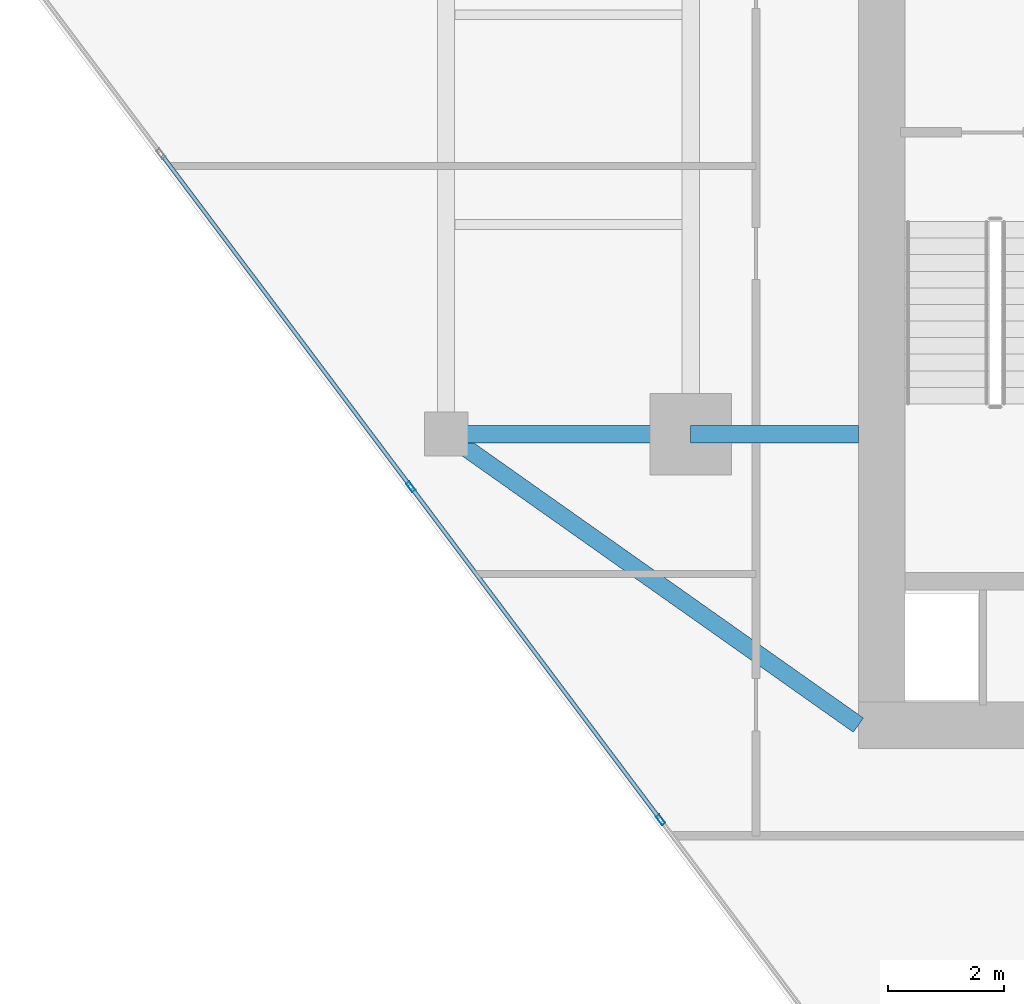
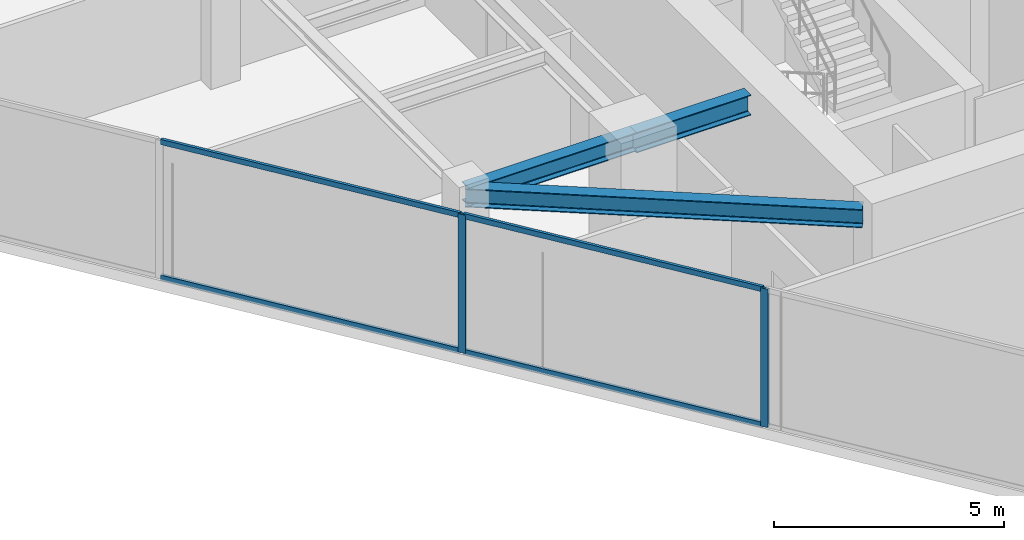
# One storey, part 2 of 21: 6 members, 3 beams, 1 element without a shape of its own.
"""IFC4 building model written with IfcOpenShell, lengths in metres."""

from ifc_helpers import new_model, si_unit, direction, frame, origin, origin_2d, place, context, subcontext, project, spatial, hollow_rectangle, i_section, extrude, source, transform, mapped, material, material_profile, profile_set, type_object, type_shapes, element, aggregate, save


model = new_model("IFC4")

# Units and contexts
model_context = context("Model", 3, precision=1e-05, world=origin(), true_north=direction((0.0, 1.0)))
body_context = subcontext(model_context, "Body", "Model", "MODEL_VIEW")
ifc_project = project(units=[si_unit("LENGTHUNIT", "METRE"), si_unit("AREAUNIT", "SQUARE_METRE"), si_unit("VOLUMEUNIT", "CUBIC_METRE"), si_unit("PLANEANGLEUNIT", "RADIAN"), si_unit("MASSUNIT", "GRAM", prefix="KILO")], contexts=[model_context])

# Site, building, storey
site_placement = place(None, origin())
site = spatial("IfcSite", under=ifc_project, at=site_placement, CompositionType="ELEMENT")
building_placement = place(site_placement, origin())
building = spatial("IfcBuilding", under=site, at=building_placement, Name="Krantzveldt Concourse Tower", CompositionType="ELEMENT")
storey_placement = place(building_placement, frame((0.0, 0.0, 267.39990234375)))
storey = spatial("IfcBuildingStorey", under=building, at=storey_placement, Name="L65", CompositionType="ELEMENT", Elevation=267.39990234375)

# Beams
ifc_material_1 = material(Name="Steel S355JR", Category="steel")
ifc_material_profile_1 = material_profile(ifc_material_1, i_section(OverallWidth=0.300048828125, OverallDepth=0.489990234375, WebThickness=0.011962890625, FlangeThickness=0.02294921875, FilletRadius=0.027099609375, at=origin_2d()), Name="Steel S355JR", Category="steel")
ifc_profile_set_1 = profile_set([ifc_material_profile_1], Name="Steel S355JR - HEA 500")
beam_type_1 = type_object("IfcBeamType", Name="BM-B-HEA500", PredefinedType="BEAM", material=ifc_profile_set_1)
shared_shape_1 = source(origin(), body_context, "Body", "SweptSolid", [
    extrude(i_section(OverallWidth=0.300048828125, OverallDepth=0.489990234375, WebThickness=0.011962890625, FlangeThickness=0.02294921875, FilletRadius=0.027099609375, at=origin_2d()), origin(), (0.0, 0.0, 1.0), 4.199951171875),
])
beam_1_placement = place(storey_placement, frame((21.0, 15.89990234375, 3.425048828125), z_axis=(1.0, 0.0, 0.0), x_axis=(0.0, 1.0, 0.0)))
element("IfcBeam", 1, at=beam_1_placement, inside=storey, type_object=beam_type_1, Name="L65 Tower Girder BR-RL1", PredefinedType="BEAM", context=body_context, shape_type="MappedRepresentation", body=[
    mapped(shared_shape_1, transform((0.0, 0.0, 0.0), x_axis=(1.0, 0.0, 0.0), y_axis=(0.0, 1.0, 0.0), z_axis=(0.0, 0.0, 1.0), scale=1.0)),
])
shared_shape_2 = source(origin(), body_context, "Body", "SweptSolid", [
    extrude(i_section(OverallWidth=0.300048828125, OverallDepth=0.489990234375, WebThickness=0.011962890625, FlangeThickness=0.02294921875, FilletRadius=0.027099609375, at=origin_2d()), origin(), (0.0, 0.0, 1.0), 8.667724609375),
])
type_shapes(beam_type_1, [shared_shape_1, shared_shape_2])
beam_2_placement = place(storey_placement, frame((21.0, 15.89990234375, 3.425048828125), z_axis=(0.81684294656, -0.576860122261, 0.0), x_axis=(0.576860122261, 0.81684294656, 0.0)))
element("IfcBeam", 2, at=beam_2_placement, inside=storey, type_object=beam_type_1, Name="L65 Tower Girder BR-CSW", PredefinedType="BEAM", context=body_context, shape_type="MappedRepresentation", body=[
    mapped(shared_shape_2, transform((0.0, 0.0, 0.0), x_axis=(1.0, 0.0, 0.0), y_axis=(0.0, 1.0, 0.0), z_axis=(0.0, 0.0, 1.0), scale=1.0)),
])
ifc_material_profile_2 = material_profile(ifc_material_1, i_section(OverallWidth=0.300048828125, OverallDepth=0.5400390625, WebThickness=0.012451171875, FlangeThickness=0.02392578125, FilletRadius=0.027099609375, at=origin_2d()), Name="Steel S355JR", Category="steel")
ifc_profile_set_2 = profile_set([ifc_material_profile_2], Name="Steel S355JR - HEA 550")
beam_type_2 = type_object("IfcBeamType", Name="BM-B-HEA550", PredefinedType="BEAM", material=ifc_profile_set_2)
shared_shape_3 = source(origin(), body_context, "Body", "SweptSolid", [
    extrude(i_section(OverallWidth=0.300048828125, OverallDepth=0.5400390625, WebThickness=0.012451171875, FlangeThickness=0.02392578125, FilletRadius=0.027099609375, at=origin_2d()), origin(), (0.0, 0.0, 1.0), 2.880126953125),
])
type_shapes(beam_type_2, [shared_shape_3])
beam_3_placement = place(storey_placement, frame((25.199951171875, 15.89990234375, 3.400146484375), z_axis=(1.0, 0.0, 0.0), x_axis=(0.0, 1.0, 0.0)))
element("IfcBeam", 3, at=beam_3_placement, inside=storey, type_object=beam_type_2, Name="L65 Tower Girder BG-CW1", PredefinedType="BEAM", context=body_context, shape_type="MappedRepresentation", body=[
    mapped(shared_shape_3, transform((0.0, 0.0, 0.0), x_axis=(1.0, 0.0, 0.0), y_axis=(0.0, 1.0, 0.0), z_axis=(0.0, 0.0, 1.0), scale=1.0)),
])

# Curtain wall, members
ifc_material_2 = material(Name="Anodised aluminium 6063-T6", Category="aluminium")
curtain_wall_type = type_object("IfcCurtainWallType", Name="CW4", PredefinedType="USERDEFINED", material=ifc_material_2)
curtain_wall_placement = place(storey_placement, origin())
curtain_wall = element("IfcCurtainWall", 4, at=curtain_wall_placement, inside=storey, type_object=curtain_wall_type, Name="CW-L65-F04", ObjectType="UNITISED CURTAIN WALL", PredefinedType="USERDEFINED")
ifc_material_profile_3 = material_profile(ifc_material_2, hollow_rectangle(XDim=0.070068359375, YDim=0.179931640625, WallThickness=0.0048828125, at=origin_2d()), Name="Anodised aluminium 6063-T6", Category="aluminium")
ifc_profile_set_3 = profile_set([ifc_material_profile_3], Name="Anodised aluminium 6063-T6 - ALU-MULL 180x70x5")
member_type_1 = type_object("IfcMemberType", Name="CW-MUL-180", PredefinedType="MULLION", material=ifc_profile_set_3)
shared_shape_4 = source(origin(), body_context, "Body", "SweptSolid", [
    extrude(hollow_rectangle(XDim=0.070068359375, YDim=0.179931640625, WallThickness=0.0048828125, at=origin_2d()), origin(), (0.0, 0.0, 1.0), 3.670166015625),
])
type_shapes(member_type_1, [shared_shape_4])
member_1_placement = place(storey_placement, frame((20.39306640625, 14.99267578125, 0.0), z_axis=(0.0, 0.0, 1.0), x_axis=(0.799946500313, 0.600071326292, 0.0)))
member_1 = element("IfcMember", 5, at=member_1_placement, type_object=member_type_1, Name="CW-Z56 mullion 3", PredefinedType="MULLION", context=body_context, shape_type="MappedRepresentation", body=[
    mapped(shared_shape_4, transform((0.0, 0.0, 0.0), x_axis=(1.0, 0.0, 0.0), y_axis=(0.0, 1.0, 0.0), z_axis=(0.0, 0.0, 1.0), scale=1.0)),
])
member_2_placement = place(storey_placement, frame((24.68359375, 9.27294921875, 0.0), z_axis=(0.0, 0.0, 1.0), x_axis=(0.799946500313, 0.600071326292, 0.0)))
member_2 = element("IfcMember", 6, at=member_2_placement, type_object=member_type_1, Name="CW-Z56 mullion 4", PredefinedType="MULLION", context=body_context, shape_type="MappedRepresentation", body=[
    mapped(shared_shape_4, transform((0.0, 0.0, 0.0), x_axis=(1.0, 0.0, 0.0), y_axis=(0.0, 1.0, 0.0), z_axis=(0.0, 0.0, 1.0), scale=1.0)),
])
ifc_material_profile_4 = material_profile(ifc_material_2, hollow_rectangle(XDim=0.070068359375, YDim=0.139892578125, WallThickness=0.0048828125, at=origin_2d()), Name="Anodised aluminium 6063-T6", Category="aluminium")
ifc_profile_set_4 = profile_set([ifc_material_profile_4], Name="Anodised aluminium 6063-T6 - ALU-TRAN 140x70x5")
member_type_2 = type_object("IfcMemberType", Name="CW-TRN-150", PredefinedType="USERDEFINED", material=ifc_profile_set_4)
shared_shape_5 = source(origin(), body_context, "Body", "SweptSolid", [
    extrude(hollow_rectangle(XDim=0.070068359375, YDim=0.139892578125, WallThickness=0.0048828125, at=origin_2d()), origin(), (0.0, 0.0, 1.0), 7.080078125),
])
type_shapes(member_type_2, [shared_shape_5])
member_3_placement = place(storey_placement, frame((16.12353515625, 20.684326171875, 0.03515625), z_axis=(0.600060687091, -0.799954481085, 0.0), x_axis=(0.799954481085, 0.600060687091, 0.0)))
member_3 = element("IfcMember", 7, at=member_3_placement, type_object=member_type_2, Name="CW-Z56 transom 2.1", ObjectType="TRANSOM", PredefinedType="USERDEFINED", context=body_context, shape_type="MappedRepresentation", body=[
    mapped(shared_shape_5, transform((0.0, 0.0, 0.0), x_axis=(1.0, 0.0, 0.0), y_axis=(0.0, 1.0, 0.0), z_axis=(0.0, 0.0, 1.0), scale=1.0)),
])
member_4_placement = place(storey_placement, frame((16.12353515625, 20.684326171875, 3.635009765625), z_axis=(0.600060687091, -0.799954481085, 0.0), x_axis=(0.799954481085, 0.600060687091, 0.0)))
member_4 = element("IfcMember", 8, at=member_4_placement, type_object=member_type_2, Name="CW-Z56 transom 2.2", ObjectType="TRANSOM", PredefinedType="USERDEFINED", context=body_context, shape_type="MappedRepresentation", body=[
    mapped(shared_shape_5, transform((0.0, 0.0, 0.0), x_axis=(1.0, 0.0, 0.0), y_axis=(0.0, 1.0, 0.0), z_axis=(0.0, 0.0, 1.0), scale=1.0)),
])
member_5_placement = place(storey_placement, frame((20.4140625, 14.964599609375, 0.03515625), z_axis=(0.600077239648, -0.799942064438, 0.0), x_axis=(0.799942064438, 0.600077239648, 0.0)))
member_5 = element("IfcMember", 9, at=member_5_placement, type_object=member_type_2, Name="CW-Z56 transom 3.1", ObjectType="TRANSOM", PredefinedType="USERDEFINED", context=body_context, shape_type="MappedRepresentation", body=[
    mapped(shared_shape_5, transform((0.0, 0.0, 0.0), x_axis=(1.0, 0.0, 0.0), y_axis=(0.0, 1.0, 0.0), z_axis=(0.0, 0.0, 1.0), scale=1.0)),
])
member_6_placement = place(storey_placement, frame((20.4140625, 14.964599609375, 3.635009765625), z_axis=(0.600077239648, -0.799942064438, 0.0), x_axis=(0.799942064438, 0.600077239648, 0.0)))
member_6 = element("IfcMember", 10, at=member_6_placement, type_object=member_type_2, Name="CW-Z56 transom 3.2", ObjectType="TRANSOM", PredefinedType="USERDEFINED", context=body_context, shape_type="MappedRepresentation", body=[
    mapped(shared_shape_5, transform((0.0, 0.0, 0.0), x_axis=(1.0, 0.0, 0.0), y_axis=(0.0, 1.0, 0.0), z_axis=(0.0, 0.0, 1.0), scale=1.0)),
])
aggregate(curtain_wall, [member_1, member_2, member_3, member_4, member_5, member_6])

save(model, "model.ifc")
